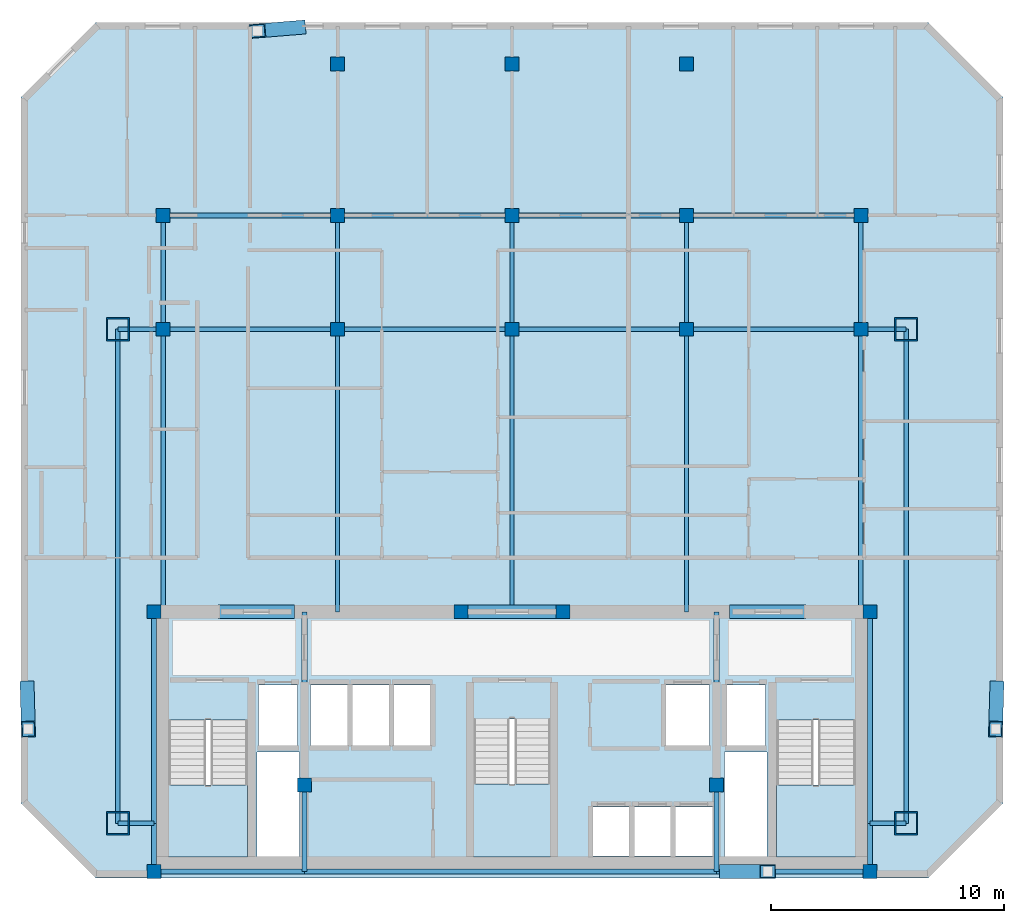
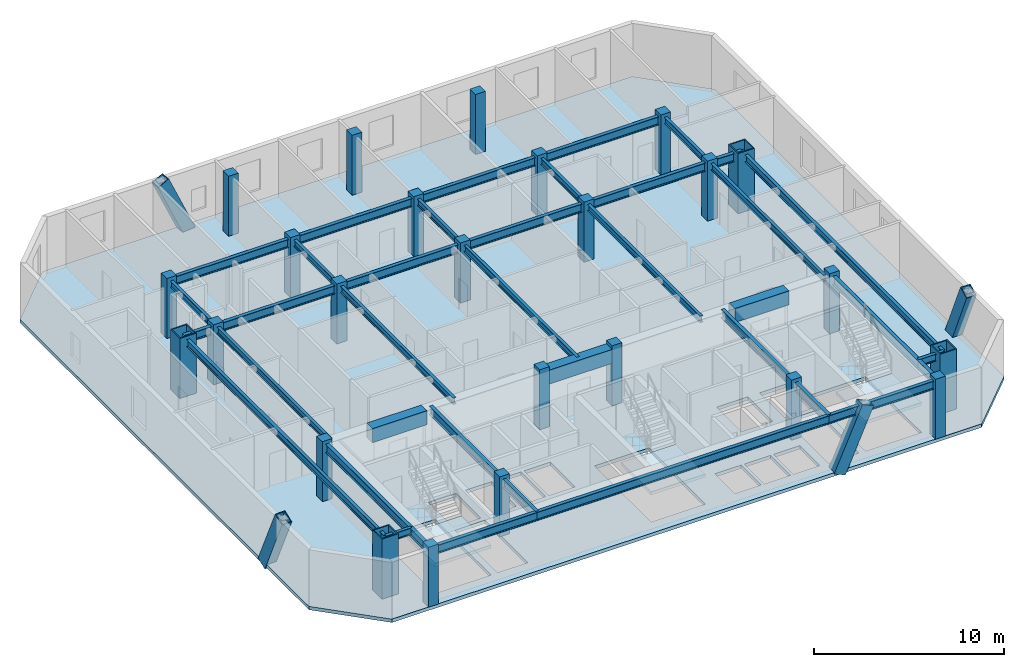
# One storey, part 1 of 7: 38 beams, 25 columns, 4 members, 4 slabs, 3 elements without a shape of their own.
"""IFC4 building model written with IfcOpenShell, lengths in metres."""

from ifc_helpers import new_model, si_unit, direction, frame, origin, origin_2d, place, context, subcontext, project, spatial, polyline, rectangle, hollow_rectangle, i_section, outline, extrude, material, layer, layer_set, material_profile, profile_set, type_object, element, aggregate, save


model = new_model("IFC4")

# Units and contexts
model_context = context("Model", 3, precision=1e-05, world=origin(), true_north=direction((0.0, 1.0)))
body_context = subcontext(model_context, "Body", "Model", "MODEL_VIEW")
ifc_project = project(units=[si_unit("LENGTHUNIT", "METRE"), si_unit("AREAUNIT", "SQUARE_METRE"), si_unit("VOLUMEUNIT", "CUBIC_METRE"), si_unit("PLANEANGLEUNIT", "RADIAN"), si_unit("MASSUNIT", "GRAM", prefix="KILO")], contexts=[model_context])

# Site, building, storey
site_placement = place(None, origin())
site = spatial("IfcSite", under=ifc_project, at=site_placement, CompositionType="ELEMENT")
building_placement = place(site_placement, origin())
building = spatial("IfcBuilding", under=site, at=building_placement, Name="Ventersveld Concourse Tower", CompositionType="ELEMENT")
storey_placement = place(building_placement, frame((0.0, 0.0, 238.800048828125)))
storey = spatial("IfcBuildingStorey", under=building, at=storey_placement, Name="L59", CompositionType="ELEMENT", Elevation=238.800048828125)

# Columns
ifc_material_1 = material(Name="Concrete C50/60", Category="concrete")
ifc_material_profile_1 = material_profile(ifc_material_1, rectangle(XDim=0.60009765625, YDim=0.60009765625, at=origin_2d()), Name="RC 600x600")
ifc_profile_set_1 = profile_set([ifc_material_profile_1], Name="Concrete C50/60")
column_type_1 = type_object("IfcColumnType", Name="COL-RC600", PredefinedType="COLUMN", material=ifc_profile_set_1)
for number, where, z_axis, x_axis, name in (
    (1, (13.35009765625, 0.280029296875, 0.0), (0.0, 0.0, 1.0), (1.0, 0.0, 0.0), "L59 Core Spine Column CC-SW"),
    (2, (44.14990234375, 0.280029296875, 0.0), (0.0, 0.0, 1.0), (1.0, 0.0, 0.0), "L59 Core Spine Column CC-SE"),
    (3, (13.35009765625, 11.449951171875, 0.0), (0.0, 0.0, 1.0), (1.0, 0.0, 0.0), "L59 Core Spine Column CC-NW"),
    (4, (44.14990234375, 11.449951171875, 0.0), (0.0, 0.0, 1.0), (1.0, 0.0, 0.0), "L59 Core Spine Column CC-NE"),
    (5, (19.820068359375, 4.0, 0.0), (0.0, 0.0, 1.0), (1.0, 0.0, 0.0), "L59 Core Spine Column CM-1"),
    (6, (37.550048828125, 4.0, 0.0), (0.0, 0.0, 1.0), (1.0, 0.0, 0.0), "L59 Core Spine Column CM-2"),
    (7, (26.550048828125, 11.449951171875, 0.0), (0.0, 0.0, 1.0), (1.0, 0.0, 0.0), "L59 Core Spine Column CM-3"),
    (8, (30.949951171875, 11.449951171875, 0.0), (0.0, 0.0, 1.0), (1.0, 0.0, 0.0), "L59 Core Spine Column CM-4"),
    (9, (13.75, 23.60009765625, 0.0), (0.0, 0.0, 1.0), (1.0, 0.0, 0.0), "L59 Interior Gravity Column X=13.75 Y=23.60"),
    (10, (21.25, 23.60009765625, 0.0), (0.0, 0.0, 1.0), (1.0, 0.0, 0.0), "L59 Interior Gravity Column X=21.25 Y=23.60"),
    (11, (28.75, 23.60009765625, 0.0), (0.0, 0.0, 1.0), (1.0, 0.0, 0.0), "L59 Interior Gravity Column X=28.75 Y=23.60"),
    (12, (36.25, 23.60009765625, 0.0), (0.0, 0.0, 1.0), (1.0, 0.0, 0.0), "L59 Interior Gravity Column X=36.25 Y=23.60"),
    (13, (43.75, 23.60009765625, 0.0), (0.0, 0.0, 1.0), (1.0, 0.0, 0.0), "L59 Interior Gravity Column X=43.75 Y=23.60"),
    (14, (13.75, 28.5, 0.0), (0.0, 0.0, 1.0), (1.0, 0.0, 0.0), "L59 Upper-North Gravity Column X=13.75 Y=28.50"),
    (15, (21.25, 28.5, 0.0), (0.0, 0.0, 1.0), (1.0, 0.0, 0.0), "L59 Upper-North Gravity Column X=21.25 Y=28.50"),
    (16, (28.75, 28.5, 0.0), (0.0, 0.0, 1.0), (1.0, 0.0, 0.0), "L59 Upper-North Gravity Column X=28.75 Y=28.50"),
    (17, (36.25, 28.5, 0.0), (0.0, 0.0, 1.0), (1.0, 0.0, 0.0), "L59 Upper-North Gravity Column X=36.25 Y=28.50"),
    (18, (43.75, 28.5, 0.0), (0.0, 0.0, 1.0), (1.0, 0.0, 0.0), "L59 Upper-North Gravity Column X=43.75 Y=28.50"),
    (19, (21.25, 35.0, 0.0), (0.0, 0.0, 1.0), (1.0, 0.0, 0.0), "L59 Mid-North Column X=21.25 Y=35.00"),
    (20, (28.75, 35.0, 0.0), (0.0, 0.0, 1.0), (1.0, 0.0, 0.0), "L59 Mid-North Column X=28.75 Y=35.00"),
    (21, (36.25, 35.0, 0.0), (0.0, 0.0, 1.0), (1.0, 0.0, 0.0), "L59 Mid-North Column X=36.25 Y=35.00"),
):
    element("IfcColumn", number, at=place(storey_placement, frame(where, z_axis=z_axis, x_axis=x_axis)), inside=storey, type_object=column_type_1, Name=name, PredefinedType="COLUMN", context=body_context, shape_type="SweptSolid", body=[
        extrude(rectangle(XDim=0.60009765625, YDim=0.60009765625, at=origin_2d()), origin(), (0.0, 0.0, 1.0), 3.849853515625),
    ])
ifc_material_2 = material(Name="Structural steel S460ML", Category="steel")
ifc_material_profile_2 = material_profile(ifc_material_2, hollow_rectangle(XDim=1.0, YDim=1.0, WallThickness=0.06005859375, at=origin_2d()), Name="BOX 1000x1000x60")
ifc_profile_set_2 = profile_set([ifc_material_profile_2], Name="Structural steel S460ML")
column_type_2 = type_object("IfcColumnType", Name="MC-1000", PredefinedType="USERDEFINED", material=ifc_profile_set_2)
for number, where, z_axis, x_axis, name in (
    (22, (11.800048828125, 2.35009765625, 0.0), (0.0, 0.0, 1.0), (1.0, 0.0, 0.0), "L59 Corner Mega-Column MC-SW"),
    (23, (45.699951171875, 2.35009765625, 0.0), (0.0, 0.0, 1.0), (1.0, 0.0, 0.0), "L59 Corner Mega-Column MC-SE"),
    (24, (45.699951171875, 23.60009765625, 0.0), (0.0, 0.0, 1.0), (1.0, 0.0, 0.0), "L59 Corner Mega-Column MC-NE"),
    (25, (11.800048828125, 23.60009765625, 0.0), (0.0, 0.0, 1.0), (1.0, 0.0, 0.0), "L59 Corner Mega-Column MC-NW"),
):
    element("IfcColumn", number, at=place(storey_placement, frame(where, z_axis=z_axis, x_axis=x_axis)), inside=storey, type_object=column_type_2, Name=name, ObjectType="MEGA_COLUMN", PredefinedType="USERDEFINED", context=body_context, shape_type="SweptSolid", body=[
        extrude(hollow_rectangle(XDim=1.0, YDim=1.0, WallThickness=0.06005859375, at=origin_2d()), origin(), (0.0, 0.0, 1.0), 3.849853515625),
    ])

# Beams
ifc_material_3 = material(Name="Structural steel S355J2", Category="steel")
ifc_material_profile_3 = material_profile(ifc_material_3, i_section(OverallWidth=0.177978515625, OverallDepth=0.406494140625, WebThickness=0.0078125, FlangeThickness=0.0126953125, FilletRadius=0.01025390625, at=origin_2d()), Name="UB 406x178x60")
ifc_profile_set_3 = profile_set([ifc_material_profile_3], Name="Structural steel S355J2")
beam_type_1 = type_object("IfcBeamType", Name="BM-UB406", PredefinedType="BEAM", material=ifc_profile_set_3)
beam_1_placement = place(storey_placement, frame((13.75, 11.449951171875, 3.4267578125), z_axis=(0.0, 1.0, 0.0), x_axis=(-1.0, 0.0, 0.0)))
element("IfcBeam", 26, at=beam_1_placement, inside=storey, type_object=beam_type_1, Name="L59 N-S Composite Floor Beam South X=13.75", PredefinedType="BEAM", context=body_context, shape_type="SweptSolid", body=[
    extrude(i_section(OverallWidth=0.177978515625, OverallDepth=0.406494140625, WebThickness=0.0078125, FlangeThickness=0.0126953125, FilletRadius=0.01025390625, at=origin_2d()), origin(), (0.0, 0.0, 1.0), 12.150146484375),
])
beam_2_placement = place(storey_placement, frame((13.75, 23.60009765625, 3.4267578125), z_axis=(0.0, 1.0, 0.0), x_axis=(-1.0, 0.0, 0.0)))
element("IfcBeam", 27, at=beam_2_placement, inside=storey, type_object=beam_type_1, Name="L59 N-S Upper-Zone Floor Beam X=13.75", PredefinedType="BEAM", context=body_context, shape_type="SweptSolid", body=[
    extrude(i_section(OverallWidth=0.177978515625, OverallDepth=0.406494140625, WebThickness=0.0078125, FlangeThickness=0.0126953125, FilletRadius=0.01025390625, at=origin_2d()), origin(), (0.0, 0.0, 1.0), 4.89990234375),
])
beam_3_placement = place(storey_placement, frame((21.25, 11.449951171875, 3.4267578125), z_axis=(0.0, 1.0, 0.0), x_axis=(-1.0, 0.0, 0.0)))
element("IfcBeam", 28, at=beam_3_placement, inside=storey, type_object=beam_type_1, Name="L59 N-S Composite Floor Beam South X=21.25", PredefinedType="BEAM", context=body_context, shape_type="SweptSolid", body=[
    extrude(i_section(OverallWidth=0.177978515625, OverallDepth=0.406494140625, WebThickness=0.0078125, FlangeThickness=0.0126953125, FilletRadius=0.01025390625, at=origin_2d()), origin(), (0.0, 0.0, 1.0), 12.150146484375),
])
beam_4_placement = place(storey_placement, frame((21.25, 23.60009765625, 3.4267578125), z_axis=(0.0, 1.0, 0.0), x_axis=(-1.0, 0.0, 0.0)))
element("IfcBeam", 29, at=beam_4_placement, inside=storey, type_object=beam_type_1, Name="L59 N-S Upper-Zone Floor Beam X=21.25", PredefinedType="BEAM", context=body_context, shape_type="SweptSolid", body=[
    extrude(i_section(OverallWidth=0.177978515625, OverallDepth=0.406494140625, WebThickness=0.0078125, FlangeThickness=0.0126953125, FilletRadius=0.01025390625, at=origin_2d()), origin(), (0.0, 0.0, 1.0), 4.89990234375),
])
beam_5_placement = place(storey_placement, frame((28.75, 11.449951171875, 3.4267578125), z_axis=(0.0, 1.0, 0.0), x_axis=(-1.0, 0.0, 0.0)))
element("IfcBeam", 30, at=beam_5_placement, inside=storey, type_object=beam_type_1, Name="L59 N-S Composite Floor Beam South X=28.75", PredefinedType="BEAM", context=body_context, shape_type="SweptSolid", body=[
    extrude(i_section(OverallWidth=0.177978515625, OverallDepth=0.406494140625, WebThickness=0.0078125, FlangeThickness=0.0126953125, FilletRadius=0.01025390625, at=origin_2d()), origin(), (0.0, 0.0, 1.0), 12.150146484375),
])
beam_6_placement = place(storey_placement, frame((28.75, 23.60009765625, 3.4267578125), z_axis=(0.0, 1.0, 0.0), x_axis=(-1.0, 0.0, 0.0)))
element("IfcBeam", 31, at=beam_6_placement, inside=storey, type_object=beam_type_1, Name="L59 N-S Upper-Zone Floor Beam X=28.75", PredefinedType="BEAM", context=body_context, shape_type="SweptSolid", body=[
    extrude(i_section(OverallWidth=0.177978515625, OverallDepth=0.406494140625, WebThickness=0.0078125, FlangeThickness=0.0126953125, FilletRadius=0.01025390625, at=origin_2d()), origin(), (0.0, 0.0, 1.0), 4.89990234375),
])
beam_7_placement = place(storey_placement, frame((36.25, 11.449951171875, 3.4267578125), z_axis=(0.0, 1.0, 0.0), x_axis=(-1.0, 0.0, 0.0)))
element("IfcBeam", 32, at=beam_7_placement, inside=storey, type_object=beam_type_1, Name="L59 N-S Composite Floor Beam South X=36.25", PredefinedType="BEAM", context=body_context, shape_type="SweptSolid", body=[
    extrude(i_section(OverallWidth=0.177978515625, OverallDepth=0.406494140625, WebThickness=0.0078125, FlangeThickness=0.0126953125, FilletRadius=0.01025390625, at=origin_2d()), origin(), (0.0, 0.0, 1.0), 12.150146484375),
])
beam_8_placement = place(storey_placement, frame((36.25, 23.60009765625, 3.4267578125), z_axis=(0.0, 1.0, 0.0), x_axis=(-1.0, 0.0, 0.0)))
element("IfcBeam", 33, at=beam_8_placement, inside=storey, type_object=beam_type_1, Name="L59 N-S Upper-Zone Floor Beam X=36.25", PredefinedType="BEAM", context=body_context, shape_type="SweptSolid", body=[
    extrude(i_section(OverallWidth=0.177978515625, OverallDepth=0.406494140625, WebThickness=0.0078125, FlangeThickness=0.0126953125, FilletRadius=0.01025390625, at=origin_2d()), origin(), (0.0, 0.0, 1.0), 4.89990234375),
])
beam_9_placement = place(storey_placement, frame((43.75, 11.449951171875, 3.4267578125), z_axis=(0.0, 1.0, 0.0), x_axis=(-1.0, 0.0, 0.0)))
element("IfcBeam", 34, at=beam_9_placement, inside=storey, type_object=beam_type_1, Name="L59 N-S Composite Floor Beam South X=43.75", PredefinedType="BEAM", context=body_context, shape_type="SweptSolid", body=[
    extrude(i_section(OverallWidth=0.177978515625, OverallDepth=0.406494140625, WebThickness=0.0078125, FlangeThickness=0.0126953125, FilletRadius=0.01025390625, at=origin_2d()), origin(), (0.0, 0.0, 1.0), 12.150146484375),
])
beam_10_placement = place(storey_placement, frame((43.75, 23.60009765625, 3.4267578125), z_axis=(0.0, 1.0, 0.0), x_axis=(-1.0, 0.0, 0.0)))
element("IfcBeam", 35, at=beam_10_placement, inside=storey, type_object=beam_type_1, Name="L59 N-S Upper-Zone Floor Beam X=43.75", PredefinedType="BEAM", context=body_context, shape_type="SweptSolid", body=[
    extrude(i_section(OverallWidth=0.177978515625, OverallDepth=0.406494140625, WebThickness=0.0078125, FlangeThickness=0.0126953125, FilletRadius=0.01025390625, at=origin_2d()), origin(), (0.0, 0.0, 1.0), 4.89990234375),
])
ifc_material_profile_4 = material_profile(ifc_material_1, rectangle(XDim=0.60009765625, YDim=0.89990234375, at=origin_2d()), Name="RC 600x900")
ifc_profile_set_4 = profile_set([ifc_material_profile_4], Name="Concrete C50/60")
beam_type_2 = type_object("IfcBeamType", Name="CB-RC600x900U", PredefinedType="LINTEL", material=ifc_profile_set_4)
beam_11_placement = place(storey_placement, frame((16.10009765625, 11.449951171875, 3.179931640625), z_axis=(1.0, 0.0, 0.0), x_axis=(0.0, 1.0, 0.0)))
element("IfcBeam", 36, at=beam_11_placement, inside=storey, type_object=beam_type_2, Name="L59 Core Coupling Lintel Beam 1", PredefinedType="LINTEL", context=body_context, shape_type="SweptSolid", body=[
    extrude(rectangle(XDim=0.60009765625, YDim=0.89990234375, at=origin_2d()), origin(), (0.0, 0.0, 1.0), 3.2998046875),
])
beam_12_placement = place(storey_placement, frame((26.5, 11.449951171875, 3.179931640625), z_axis=(1.0, 0.0, 0.0), x_axis=(0.0, 1.0, 0.0)))
element("IfcBeam", 37, at=beam_12_placement, inside=storey, type_object=beam_type_2, Name="L59 Core Coupling Lintel Beam 2", PredefinedType="LINTEL", context=body_context, shape_type="SweptSolid", body=[
    extrude(rectangle(XDim=0.60009765625, YDim=0.89990234375, at=origin_2d()), origin(), (0.0, 0.0, 1.0), 4.5),
])
beam_13_placement = place(storey_placement, frame((38.10009765625, 11.449951171875, 3.179931640625), z_axis=(1.0, 0.0, 0.0), x_axis=(0.0, 1.0, 0.0)))
element("IfcBeam", 38, at=beam_13_placement, inside=storey, type_object=beam_type_2, Name="L59 Core Coupling Lintel Beam 3", PredefinedType="LINTEL", context=body_context, shape_type="SweptSolid", body=[
    extrude(rectangle(XDim=0.60009765625, YDim=0.89990234375, at=origin_2d()), origin(), (0.0, 0.0, 1.0), 3.2998046875),
])
ifc_material_profile_5 = material_profile(ifc_material_3, i_section(OverallWidth=0.2119140625, OverallDepth=0.54443359375, WebThickness=0.0126953125, FlangeThickness=0.021240234375, FilletRadius=0.0126953125, at=origin_2d()), Name="UB 533x210x122")
ifc_profile_set_5 = profile_set([ifc_material_profile_5], Name="Structural steel S355J2")
beam_type_3 = type_object("IfcBeamType", Name="GRD-UB533H", PredefinedType="T_BEAM", material=ifc_profile_set_5)
beam_14_placement = place(storey_placement, frame((13.35009765625, 0.280029296875, 3.357666015625), z_axis=(0.0, 1.0, 0.0), x_axis=(-1.0, 0.0, 0.0)))
element("IfcBeam", 39, at=beam_14_placement, inside=storey, type_object=beam_type_3, Name="L59 Core West Tie Beam S", PredefinedType="T_BEAM", context=body_context, shape_type="SweptSolid", body=[
    extrude(i_section(OverallWidth=0.2119140625, OverallDepth=0.54443359375, WebThickness=0.0126953125, FlangeThickness=0.021240234375, FilletRadius=0.0126953125, at=origin_2d()), origin(), (0.0, 0.0, 1.0), 2.070068359375),
])
beam_15_placement = place(storey_placement, frame((13.35009765625, 2.35009765625, 3.357666015625), z_axis=(0.0, 1.0, 0.0), x_axis=(-1.0, 0.0, 0.0)))
element("IfcBeam", 40, at=beam_15_placement, inside=storey, type_object=beam_type_3, Name="L59 Core West Tie Beam N", PredefinedType="T_BEAM", context=body_context, shape_type="SweptSolid", body=[
    extrude(i_section(OverallWidth=0.2119140625, OverallDepth=0.54443359375, WebThickness=0.0126953125, FlangeThickness=0.021240234375, FilletRadius=0.0126953125, at=origin_2d()), origin(), (0.0, 0.0, 1.0), 9.099853515625),
])
beam_16_placement = place(storey_placement, frame((44.14990234375, 0.280029296875, 3.357666015625), z_axis=(0.0, 1.0, 0.0), x_axis=(-1.0, 0.0, 0.0)))
element("IfcBeam", 41, at=beam_16_placement, inside=storey, type_object=beam_type_3, Name="L59 Core East Tie Beam S", PredefinedType="T_BEAM", context=body_context, shape_type="SweptSolid", body=[
    extrude(i_section(OverallWidth=0.2119140625, OverallDepth=0.54443359375, WebThickness=0.0126953125, FlangeThickness=0.021240234375, FilletRadius=0.0126953125, at=origin_2d()), origin(), (0.0, 0.0, 1.0), 2.070068359375),
])
beam_17_placement = place(storey_placement, frame((44.14990234375, 2.35009765625, 3.357666015625), z_axis=(0.0, 1.0, 0.0), x_axis=(-1.0, 0.0, 0.0)))
element("IfcBeam", 42, at=beam_17_placement, inside=storey, type_object=beam_type_3, Name="L59 Core East Tie Beam N", PredefinedType="T_BEAM", context=body_context, shape_type="SweptSolid", body=[
    extrude(i_section(OverallWidth=0.2119140625, OverallDepth=0.54443359375, WebThickness=0.0126953125, FlangeThickness=0.021240234375, FilletRadius=0.0126953125, at=origin_2d()), origin(), (0.0, 0.0, 1.0), 9.099853515625),
])
beam_18_placement = place(storey_placement, frame((13.35009765625, 0.280029296875, 3.357666015625), z_axis=(1.0, 0.0, 0.0), x_axis=(0.0, 1.0, 0.0)))
element("IfcBeam", 43, at=beam_18_placement, inside=storey, type_object=beam_type_3, Name="L59 Core South Tie Beam W", PredefinedType="T_BEAM", context=body_context, shape_type="SweptSolid", body=[
    extrude(i_section(OverallWidth=0.2119140625, OverallDepth=0.54443359375, WebThickness=0.0126953125, FlangeThickness=0.021240234375, FilletRadius=0.0126953125, at=origin_2d()), origin(), (0.0, 0.0, 1.0), 6.469970703125),
])
beam_19_placement = place(storey_placement, frame((19.820068359375, 0.280029296875, 3.357666015625), z_axis=(1.0, 0.0, 0.0), x_axis=(0.0, 1.0, 0.0)))
element("IfcBeam", 44, at=beam_19_placement, inside=storey, type_object=beam_type_3, Name="L59 Core South Tie Beam C", PredefinedType="T_BEAM", context=body_context, shape_type="SweptSolid", body=[
    extrude(i_section(OverallWidth=0.2119140625, OverallDepth=0.54443359375, WebThickness=0.0126953125, FlangeThickness=0.021240234375, FilletRadius=0.0126953125, at=origin_2d()), origin(), (0.0, 0.0, 1.0), 17.72998046875),
])
beam_20_placement = place(storey_placement, frame((37.550048828125, 0.280029296875, 3.357666015625), z_axis=(1.0, 0.0, 0.0), x_axis=(0.0, 1.0, 0.0)))
element("IfcBeam", 45, at=beam_20_placement, inside=storey, type_object=beam_type_3, Name="L59 Core South Tie Beam E", PredefinedType="T_BEAM", context=body_context, shape_type="SweptSolid", body=[
    extrude(i_section(OverallWidth=0.2119140625, OverallDepth=0.54443359375, WebThickness=0.0126953125, FlangeThickness=0.021240234375, FilletRadius=0.0126953125, at=origin_2d()), origin(), (0.0, 0.0, 1.0), 6.599853515625),
])
beam_21_placement = place(storey_placement, frame((19.820068359375, 0.280029296875, 3.357666015625), z_axis=(0.0, 1.0, 0.0), x_axis=(-1.0, 0.0, 0.0)))
element("IfcBeam", 46, at=beam_21_placement, inside=storey, type_object=beam_type_3, Name="L59 Core Spine N-S Tie Beam W1", PredefinedType="T_BEAM", context=body_context, shape_type="SweptSolid", body=[
    extrude(i_section(OverallWidth=0.2119140625, OverallDepth=0.54443359375, WebThickness=0.0126953125, FlangeThickness=0.021240234375, FilletRadius=0.0126953125, at=origin_2d()), origin(), (0.0, 0.0, 1.0), 3.719970703125),
])
beam_22_placement = place(storey_placement, frame((19.820068359375, 4.0, 3.357666015625), z_axis=(0.0, 1.0, 0.0), x_axis=(-1.0, 0.0, 0.0)))
element("IfcBeam", 47, at=beam_22_placement, inside=storey, type_object=beam_type_3, Name="L59 Core Spine N-S Tie Beam W2", PredefinedType="T_BEAM", context=body_context, shape_type="SweptSolid", body=[
    extrude(i_section(OverallWidth=0.2119140625, OverallDepth=0.54443359375, WebThickness=0.0126953125, FlangeThickness=0.021240234375, FilletRadius=0.0126953125, at=origin_2d()), origin(), (0.0, 0.0, 1.0), 7.449951171875),
])
beam_23_placement = place(storey_placement, frame((37.550048828125, 0.280029296875, 3.357666015625), z_axis=(0.0, 1.0, 0.0), x_axis=(-1.0, 0.0, 0.0)))
element("IfcBeam", 48, at=beam_23_placement, inside=storey, type_object=beam_type_3, Name="L59 Core Spine N-S Tie Beam E1", PredefinedType="T_BEAM", context=body_context, shape_type="SweptSolid", body=[
    extrude(i_section(OverallWidth=0.2119140625, OverallDepth=0.54443359375, WebThickness=0.0126953125, FlangeThickness=0.021240234375, FilletRadius=0.0126953125, at=origin_2d()), origin(), (0.0, 0.0, 1.0), 3.719970703125),
])
beam_24_placement = place(storey_placement, frame((37.550048828125, 4.0, 3.357666015625), z_axis=(0.0, 1.0, 0.0), x_axis=(-1.0, 0.0, 0.0)))
element("IfcBeam", 49, at=beam_24_placement, inside=storey, type_object=beam_type_3, Name="L59 Core Spine N-S Tie Beam E2", PredefinedType="T_BEAM", context=body_context, shape_type="SweptSolid", body=[
    extrude(i_section(OverallWidth=0.2119140625, OverallDepth=0.54443359375, WebThickness=0.0126953125, FlangeThickness=0.021240234375, FilletRadius=0.0126953125, at=origin_2d()), origin(), (0.0, 0.0, 1.0), 7.449951171875),
])
beam_25_placement = place(storey_placement, frame((11.800048828125, 23.60009765625, 3.357666015625), z_axis=(1.0, 0.0, 0.0), x_axis=(0.0, 1.0, 0.0)))
element("IfcBeam", 50, at=beam_25_placement, inside=storey, type_object=beam_type_3, Name="L59 Primary E-W Grid Girder Y=23.60 #1", PredefinedType="T_BEAM", context=body_context, shape_type="SweptSolid", body=[
    extrude(i_section(OverallWidth=0.2119140625, OverallDepth=0.54443359375, WebThickness=0.0126953125, FlangeThickness=0.021240234375, FilletRadius=0.0126953125, at=origin_2d()), origin(), (0.0, 0.0, 1.0), 1.949951171875),
])
for number, where, z_axis, x_axis, name in (
    (51, (13.75, 23.60009765625, 3.357666015625), (1.0, 0.0, 0.0), (0.0, 1.0, 0.0), "L59 Primary E-W Grid Girder Y=23.60 #2"),
    (52, (21.25, 23.60009765625, 3.357666015625), (1.0, 0.0, 0.0), (0.0, 1.0, 0.0), "L59 Primary E-W Grid Girder Y=23.60 #3"),
    (53, (28.75, 23.60009765625, 3.357666015625), (1.0, 0.0, 0.0), (0.0, 1.0, 0.0), "L59 Primary E-W Grid Girder Y=23.60 #4"),
    (54, (36.25, 23.60009765625, 3.357666015625), (1.0, 0.0, 0.0), (0.0, 1.0, 0.0), "L59 Primary E-W Grid Girder Y=23.60 #5"),
):
    element("IfcBeam", number, at=place(storey_placement, frame(where, z_axis=z_axis, x_axis=x_axis)), inside=storey, type_object=beam_type_3, Name=name, PredefinedType="T_BEAM", context=body_context, shape_type="SweptSolid", body=[
        extrude(i_section(OverallWidth=0.2119140625, OverallDepth=0.54443359375, WebThickness=0.0126953125, FlangeThickness=0.021240234375, FilletRadius=0.0126953125, at=origin_2d()), origin(), (0.0, 0.0, 1.0), 7.5),
    ])
beam_26_placement = place(storey_placement, frame((43.75, 23.60009765625, 3.357666015625), z_axis=(1.0, 0.0, 0.0), x_axis=(0.0, 1.0, 0.0)))
element("IfcBeam", 55, at=beam_26_placement, inside=storey, type_object=beam_type_3, Name="L59 Primary E-W Grid Girder Y=23.60 #6", PredefinedType="T_BEAM", context=body_context, shape_type="SweptSolid", body=[
    extrude(i_section(OverallWidth=0.2119140625, OverallDepth=0.54443359375, WebThickness=0.0126953125, FlangeThickness=0.021240234375, FilletRadius=0.0126953125, at=origin_2d()), origin(), (0.0, 0.0, 1.0), 1.949951171875),
])
for number, where, z_axis, x_axis, name in (
    (56, (13.75, 28.5, 3.357666015625), (1.0, 0.0, 0.0), (0.0, 1.0, 0.0), "L59 Upper-North E-W Girder Y=28.50 #1"),
    (57, (21.25, 28.5, 3.357666015625), (1.0, 0.0, 0.0), (0.0, 1.0, 0.0), "L59 Upper-North E-W Girder Y=28.50 #2"),
    (58, (28.75, 28.5, 3.357666015625), (1.0, 0.0, 0.0), (0.0, 1.0, 0.0), "L59 Upper-North E-W Girder Y=28.50 #3"),
    (59, (36.25, 28.5, 3.357666015625), (1.0, 0.0, 0.0), (0.0, 1.0, 0.0), "L59 Upper-North E-W Girder Y=28.50 #4"),
):
    element("IfcBeam", number, at=place(storey_placement, frame(where, z_axis=z_axis, x_axis=x_axis)), inside=storey, type_object=beam_type_3, Name=name, PredefinedType="T_BEAM", context=body_context, shape_type="SweptSolid", body=[
        extrude(i_section(OverallWidth=0.2119140625, OverallDepth=0.54443359375, WebThickness=0.0126953125, FlangeThickness=0.021240234375, FilletRadius=0.0126953125, at=origin_2d()), origin(), (0.0, 0.0, 1.0), 7.5),
    ])

# Members
ifc_material_4 = material(Name="Structural steel S355ML", Category="steel")
ifc_material_profile_6 = material_profile(ifc_material_4, hollow_rectangle(XDim=0.60009765625, YDim=0.75, WallThickness=0.0400390625, at=origin_2d()), Name="BOX 750x600x40")
ifc_profile_set_6 = profile_set([ifc_material_profile_6], Name="Structural steel S355ML")
member_type = type_object("IfcMemberType", Name="MB-750x600", PredefinedType="BRACE", material=ifc_profile_set_6)
member_1_placement = place(storey_placement, frame((19.526123046875, 36.572509765625, -0.219970703125), z_axis=(-0.408446894302, -0.033550375116, 0.912165284839), x_axis=(0.081865622201, -0.99664337649, 0.0)))
element("IfcMember", 60, at=member_1_placement, inside=storey, type_object=member_type, Name="L59 Exterior Mega-Brace N (Module M14)", PredefinedType="BRACE", context=body_context, shape_type="SweptSolid", body=[
    extrude(hollow_rectangle(XDim=0.60009765625, YDim=0.75, WallThickness=0.0400390625, at=origin_2d()), origin(), (0.0, 0.0, 1.0), 4.220458984375),
])
member_2_placement = place(storey_placement, frame((38.02392578125, 0.280029296875, -0.219970703125), z_axis=(0.408676968116, 0.0, 0.912679097893), x_axis=(0.0, 1.0, 0.0)))
element("IfcMember", 61, at=member_2_placement, inside=storey, type_object=member_type, Name="L59 Exterior Mega-Brace S (Module M14)", PredefinedType="BRACE", context=body_context, shape_type="SweptSolid", body=[
    extrude(hollow_rectangle(XDim=0.60009765625, YDim=0.75, WallThickness=0.0400390625, at=origin_2d()), origin(), (0.0, 0.0, 1.0), 4.21826171875),
])
for number, where, z_axis, x_axis, name in (
    (62, (7.900146484375, 8.126220703125, -0.219970703125), (0.011632427401, -0.408697523926, 0.912595759671), (0.999595197743, 0.028450670454, 0.0), "L59 Exterior Mega-Brace W (Module M14)"),
    (63, (49.599853515625, 8.126220703125, -0.219970703125), (-0.011632427401, -0.408697523926, 0.912595759671), (0.999595197743, -0.028450670454, 0.0), "L59 Exterior Mega-Brace E (Module M14)"),
):
    element("IfcMember", number, at=place(storey_placement, frame(where, z_axis=z_axis, x_axis=x_axis)), inside=storey, type_object=member_type, Name=name, PredefinedType="BRACE", context=body_context, shape_type="SweptSolid", body=[
        extrude(hollow_rectangle(XDim=0.60009765625, YDim=0.75, WallThickness=0.0400390625, at=origin_2d()), origin(), (0.0, 0.0, 1.0), 4.218505859375),
    ])

# Beams
ifc_material_profile_7 = material_profile(ifc_material_3, i_section(OverallWidth=0.19140625, OverallDepth=0.4599609375, WebThickness=0.010009765625, FlangeThickness=0.01611328125, FilletRadius=0.01025390625, at=origin_2d()), Name="UB 457x191x82")
ifc_profile_set_7 = profile_set([ifc_material_profile_7], Name="Structural steel S355J2")
beam_type_4 = type_object("IfcBeamType", Name="SPD-UB457", PredefinedType="SPANDREL", material=ifc_profile_set_7)
for number, where, z_axis, x_axis, name in (
    (64, (11.800048828125, 2.35009765625, 3.39990234375), (1.0, 0.0, 0.0), (0.0, 1.0, 0.0), "L59 SW Spandrel Beam"),
    (65, (44.14990234375, 2.35009765625, 3.39990234375), (1.0, 0.0, 0.0), (0.0, 1.0, 0.0), "L59 SE Spandrel Beam"),
):
    element("IfcBeam", number, at=place(storey_placement, frame(where, z_axis=z_axis, x_axis=x_axis)), inside=storey, type_object=beam_type_4, Name=name, PredefinedType="SPANDREL", context=body_context, shape_type="SweptSolid", body=[
        extrude(i_section(OverallWidth=0.19140625, OverallDepth=0.4599609375, WebThickness=0.010009765625, FlangeThickness=0.01611328125, FilletRadius=0.01025390625, at=origin_2d()), origin(), (0.0, 0.0, 1.0), 1.550048828125),
    ])
for number, where, z_axis, x_axis, name in (
    (66, (11.800048828125, 2.35009765625, 3.39990234375), (0.0, 1.0, 0.0), (-1.0, 0.0, 0.0), "L59 West Spandrel Beam"),
    (67, (45.699951171875, 2.35009765625, 3.39990234375), (0.0, 1.0, 0.0), (-1.0, 0.0, 0.0), "L59 East Spandrel Beam"),
):
    element("IfcBeam", number, at=place(storey_placement, frame(where, z_axis=z_axis, x_axis=x_axis)), inside=storey, type_object=beam_type_4, Name=name, PredefinedType="SPANDREL", context=body_context, shape_type="SweptSolid", body=[
        extrude(i_section(OverallWidth=0.19140625, OverallDepth=0.4599609375, WebThickness=0.010009765625, FlangeThickness=0.01611328125, FilletRadius=0.01025390625, at=origin_2d()), origin(), (0.0, 0.0, 1.0), 21.25),
    ])

# Slab
ifc_layer_1 = layer(ifc_material_1, 0.219970703125)
ifc_layer_set_1 = layer_set([ifc_layer_1], Name="Concrete C50/60")
slab_type_1 = type_object("IfcSlabType", Name="SL-FLR-220", PredefinedType="FLOOR", material=ifc_layer_set_1)
slab_1_placement = place(storey_placement, frame((0.0, 0.0, -0.219970703125)))
element("IfcSlab", 68, at=slab_1_placement, inside=storey, type_object=slab_type_1, Name="L59 Composite Floor Slab", PredefinedType="FLOOR", context=body_context, shape_type="SweptSolid", body=[
    extrude(outline(polyline([(10.84228515625, 0.0), (46.65771484375, 0.0), (49.85791015625, 3.199951171875), (49.85791015625, 33.5888671875), (46.65771484375, 36.788818359375), (10.84228515625, 36.788818359375), (7.64208984375, 33.5888671875), (7.64208984375, 3.199951171875), (10.84228515625, 0.0)]), holes=[polyline([(13.97998046875, 6.794921875), (13.97998046875, 0.89990234375), (17.3798828125, 0.89990234375), (17.3798828125, 6.794921875), (13.97998046875, 6.794921875)]), polyline([(40.1201171875, 6.794921875), (40.1201171875, 0.89990234375), (43.52001953125, 0.89990234375), (43.52001953125, 6.794921875), (40.1201171875, 6.794921875)]), polyline([(27.10009765625, 6.844970703125), (27.10009765625, 0.89990234375), (30.39990234375, 0.89990234375), (30.39990234375, 6.844970703125), (27.10009765625, 6.844970703125)]), polyline([(17.85009765625, 5.699951171875), (19.530029296875, 5.699951171875), (19.530029296875, 8.300048828125), (17.85009765625, 8.300048828125), (17.85009765625, 5.699951171875)]), polyline([(37.969970703125, 5.699951171875), (39.64990234375, 5.699951171875), (39.64990234375, 8.300048828125), (37.969970703125, 8.300048828125), (37.969970703125, 5.699951171875)]), polyline([(35.35009765625, 5.699951171875), (37.25, 5.699951171875), (37.25, 8.300048828125), (35.35009765625, 8.300048828125), (35.35009765625, 5.699951171875)]), polyline([(32.2099609375, 0.949951171875), (33.81005859375, 0.949951171875), (33.81005859375, 3.050048828125), (32.2099609375, 3.050048828125), (32.2099609375, 0.949951171875)]), polyline([(33.989990234375, 0.949951171875), (35.590087890625, 0.949951171875), (35.590087890625, 3.050048828125), (33.989990234375, 3.050048828125), (33.989990234375, 0.949951171875)]), polyline([(35.77001953125, 0.949951171875), (37.3701171875, 0.949951171875), (37.3701171875, 3.050048828125), (35.77001953125, 3.050048828125), (35.77001953125, 0.949951171875)]), polyline([(20.090087890625, 5.699951171875), (21.68994140625, 5.699951171875), (21.68994140625, 8.300048828125), (20.090087890625, 8.300048828125), (20.090087890625, 5.699951171875)]), polyline([(21.8701171875, 5.699951171875), (23.469970703125, 5.699951171875), (23.469970703125, 8.300048828125), (21.8701171875, 8.300048828125), (21.8701171875, 5.699951171875)]), polyline([(23.64990234375, 5.699951171875), (25.25, 5.699951171875), (25.25, 8.300048828125), (23.64990234375, 8.300048828125), (23.64990234375, 5.699951171875)]), polyline([(17.780029296875, 0.919921875), (19.6201171875, 0.919921875), (19.6201171875, 5.419921875), (17.780029296875, 5.419921875), (17.780029296875, 0.919921875)]), polyline([(37.8798828125, 0.919921875), (39.719970703125, 0.919921875), (39.719970703125, 5.419921875), (37.8798828125, 5.419921875), (37.8798828125, 0.919921875)])]), origin(), (0.0, 0.0, 1.0), 0.219970703125),
])

# Stair, slab
stair_type_1 = type_object("IfcStairType", Name="ST-DOG-160", PredefinedType="HALF_TURN_STAIR", material=ifc_material_1)
stair_1_placement = place(storey_placement, origin())
stair_1 = element("IfcStair", 69, at=stair_1_placement, inside=storey, type_object=stair_type_1, Name="L59 Protected Tower Escape Stair ST-01", PredefinedType="HALF_TURN_STAIR")
ifc_layer_2 = layer(ifc_material_1, 0.199951171875)
ifc_layer_set_2 = layer_set([ifc_layer_2], Name="Concrete C50/60")
slab_type_2 = type_object("IfcSlabType", Name="SL-LND-200", PredefinedType="LANDING", material=ifc_layer_set_2)
slab_2_placement = place(storey_placement, frame((0.0, 0.0, 1.724853515625)))
slab_2 = element("IfcSlab", 70, at=slab_2_placement, type_object=slab_type_2, Name="ST-01 landing 1", PredefinedType="LANDING", context=body_context, shape_type="SweptSolid", body=[
    extrude(outline(polyline([(13.97998046875, 4.0), (13.97998046875, 0.89990234375), (17.3798828125, 0.89990234375), (17.3798828125, 4.0), (13.97998046875, 4.0)])), origin(), (0.0, 0.0, 1.0), 0.2001953125),
])
aggregate(stair_1, [slab_2])

stair_2_placement = place(storey_placement, origin())
stair_2 = element("IfcStair", 71, at=stair_2_placement, inside=storey, type_object=stair_type_1, Name="L59 Protected Tower Escape Stair ST-02", PredefinedType="HALF_TURN_STAIR")
slab_3_placement = place(storey_placement, frame((0.0, 0.0, 1.724853515625)))
slab_3 = element("IfcSlab", 72, at=slab_3_placement, type_object=slab_type_2, Name="ST-02 landing 1", PredefinedType="LANDING", context=body_context, shape_type="SweptSolid", body=[
    extrude(outline(polyline([(40.1201171875, 4.0), (40.1201171875, 0.89990234375), (43.52001953125, 0.89990234375), (43.52001953125, 4.0), (40.1201171875, 4.0)])), origin(), (0.0, 0.0, 1.0), 0.2001953125),
])
aggregate(stair_2, [slab_3])

stair_type_2 = type_object("IfcStairType", Name="ST-DOG-155", PredefinedType="HALF_TURN_STAIR", material=ifc_material_1)
stair_3_placement = place(storey_placement, origin())
stair_3 = element("IfcStair", 73, at=stair_3_placement, inside=storey, type_object=stair_type_2, Name="L59 Protected Central Core Escape Stair ST-03", PredefinedType="HALF_TURN_STAIR")
slab_4_placement = place(storey_placement, frame((0.0, 0.0, 1.724853515625)))
slab_4 = element("IfcSlab", 74, at=slab_4_placement, type_object=slab_type_2, Name="ST-03 landing 1", PredefinedType="LANDING", context=body_context, shape_type="SweptSolid", body=[
    extrude(outline(polyline([(27.10009765625, 4.050048828125), (27.10009765625, 0.89990234375), (30.39990234375, 0.89990234375), (30.39990234375, 4.050048828125), (27.10009765625, 4.050048828125)])), origin(), (0.0, 0.0, 1.0), 0.2001953125),
])
aggregate(stair_3, [slab_4])

save(model, "model.ifc")
